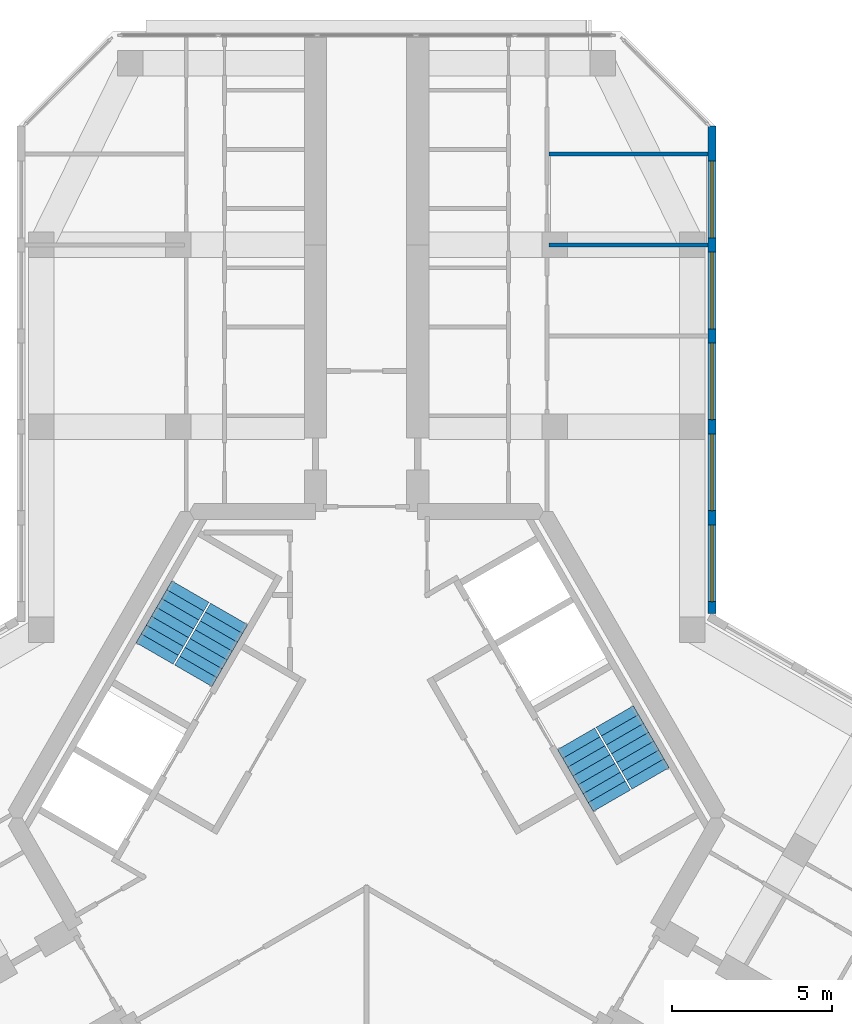
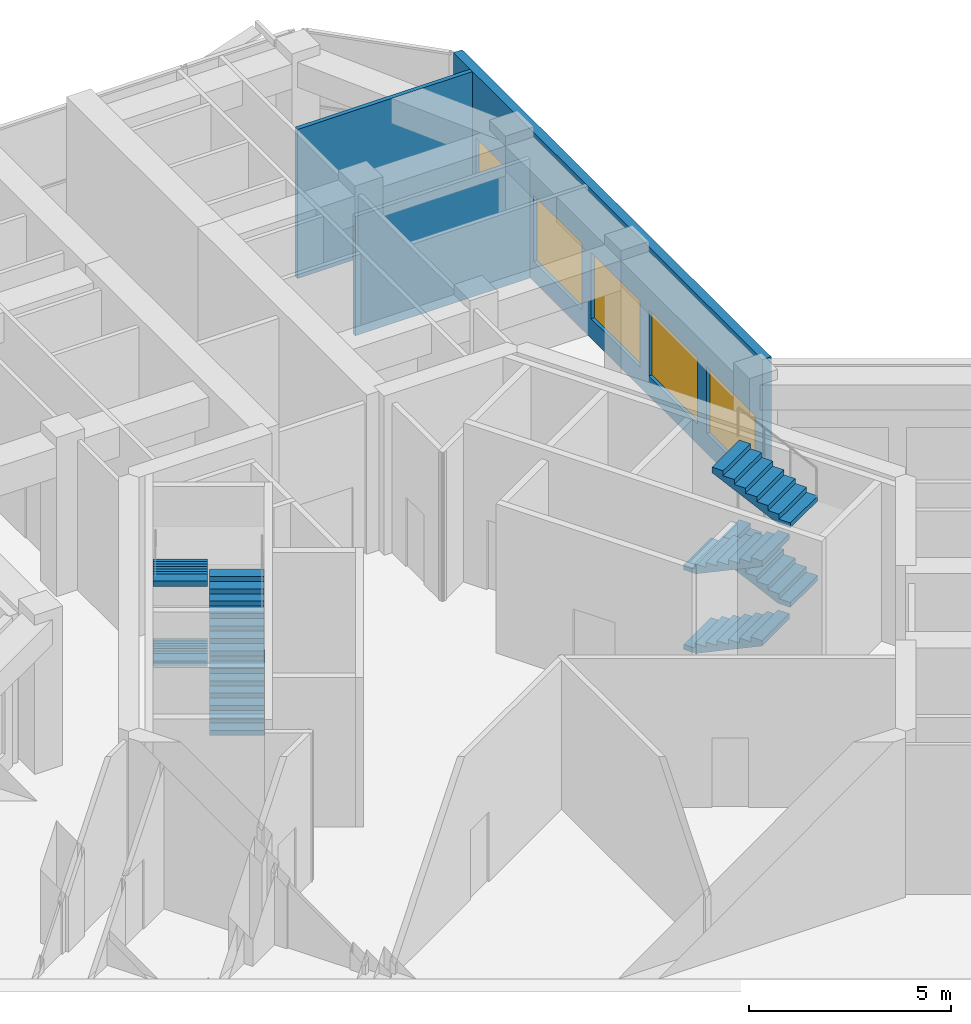
# One storey, part 13 of 14: 8 stair flights, 5 windows, 3 walls, 5 openings, 2 elements without a shape of their own.
"""IFC4 building model written with IfcOpenShell, lengths in metres."""

from ifc_helpers import new_model, si_unit, direction, frame, frame_2d, origin, place, context, subcontext, project, spatial, polyline, rectangle, outline, extrude, material, layer, layer_set, type_object, element, fill, aggregate, save


model = new_model("IFC4")

# Units and contexts
model_context = context("Model", 3, precision=1e-05, world=origin(), true_north=direction((0.0, 1.0)))
body_context = subcontext(model_context, "Body", "Model", "MODEL_VIEW")
ifc_project = project(units=[si_unit("LENGTHUNIT", "METRE"), si_unit("AREAUNIT", "SQUARE_METRE"), si_unit("VOLUMEUNIT", "CUBIC_METRE"), si_unit("PLANEANGLEUNIT", "RADIAN"), si_unit("MASSUNIT", "GRAM", prefix="KILO")], contexts=[model_context])

# Site, building, storey
site_placement = place(None, origin())
site = spatial("IfcSite", under=ifc_project, at=site_placement, CompositionType="ELEMENT")
building_placement = place(site_placement, origin())
building = spatial("IfcBuilding", under=site, at=building_placement, Name="Kosmar Iwan School Tower", CompositionType="ELEMENT")
storey_placement = place(building_placement, frame((0.0, 0.0, 296.199951171875)))
storey = spatial("IfcBuildingStorey", under=building, at=storey_placement, Name="L75", CompositionType="ELEMENT", Elevation=296.199951171875)

# Walls
ifc_material_1 = material(Name="Gypsum board on steel studs", Category="steel")
ifc_layer_1 = layer(ifc_material_1, 0.1201171875)
ifc_layer_set_1 = layer_set([ifc_layer_1], Name="Dwelling partition 120")
wall_type_1 = type_object("IfcWallType", Name="Dwelling partition 120", PredefinedType="PARTITIONING", material=ifc_layer_set_1)
wall_1_placement = place(storey_placement, frame((5.7099609375, 17.949951171875, 0.0), z_axis=(0.0, 0.0, 1.0), x_axis=(1.0, 0.0, 0.0)))
element("IfcWall", 1, at=wall_1_placement, inside=storey, type_object=wall_type_1, Name="Partition L75-AR1-X2", PredefinedType="PARTITIONING", context=body_context, shape_type="SweptSolid", body=[
    extrude(rectangle(XDim=4.989990234375, YDim=0.1201171875, at=frame_2d((2.4951171875, 0.0))), origin(), (0.0, 0.0, 1.0), 3.60009765625),
])
wall_2_placement = place(storey_placement, frame((5.7099609375, 20.800048828125, 0.0), z_axis=(0.0, 0.0, 1.0), x_axis=(1.0, 0.0, 0.0)))
element("IfcWall", 2, at=wall_2_placement, inside=storey, type_object=wall_type_1, Name="Partition L75-AR1-X3", PredefinedType="PARTITIONING", context=body_context, shape_type="SweptSolid", body=[
    extrude(rectangle(XDim=4.989990234375, YDim=0.1201171875, at=frame_2d((2.4951171875, 0.0))), origin(), (0.0, 0.0, 1.0), 4.5),
])

# Wall, openings, windows
ifc_material_2 = material(Name="Black aluminium rainscreen on insulated framing", Category="aluminium")
ifc_layer_2 = layer(ifc_material_2, 0.25)
ifc_layer_set_2 = layer_set([ifc_layer_2], Name="External wall rainscreen 250")
wall_type_2 = type_object("IfcWallType", Name="External wall rainscreen 250", PredefinedType="SOLIDWALL", material=ifc_layer_set_2)
wall_3_placement = place(storey_placement, frame((10.824951171875, 6.408935546875, 0.0), z_axis=(0.0, 0.0, 1.0), x_axis=(0.0, 1.0, 0.0)))
wall_3 = element("IfcWall", 3, at=wall_3_placement, inside=storey, type_object=wall_type_2, Name="External wall AR L75", PredefinedType="SOLIDWALL", context=body_context, shape_type="SweptSolid", body=[
    extrude(rectangle(XDim=15.2763671875, YDim=0.25, at=frame_2d((7.63818359375, 0.0))), origin(), (0.0, 0.0, 1.0), 4.5),
])
opening_1_placement = place(wall_3_placement, frame((0.365966796875, 0.0, 0.60009765625)))
opening_1 = element("IfcOpeningElement", 4, at=opening_1_placement, cuts=wall_3, Name="Opening W6", PredefinedType="OPENING", context=body_context, shape_type="SweptSolid", body=[
    extrude(rectangle(XDim=2.39990234375, YDim=2.0, at=frame_2d((1.199951171875, 1.0))), frame((0.0, 0.136962890625, 0.0), z_axis=(0.0, -1.0, 0.0), x_axis=(1.0, 0.0, 0.0)), (0.0, 0.0, 1.0), 0.27392578125),
])
opening_2_placement = place(wall_3_placement, frame((3.216064453125, 0.0, 0.60009765625)))
opening_2 = element("IfcOpeningElement", 5, at=opening_2_placement, cuts=wall_3, Name="Opening W6", PredefinedType="OPENING", context=body_context, shape_type="SweptSolid", body=[
    extrude(rectangle(XDim=2.39990234375, YDim=2.0, at=frame_2d((1.199951171875, 1.0))), frame((0.0, 0.136962890625, 0.0), z_axis=(0.0, -1.0, 0.0), x_axis=(1.0, 0.0, 0.0)), (0.0, 0.0, 1.0), 0.27392578125),
])
opening_3_placement = place(wall_3_placement, frame((6.06591796875, 0.0, 0.60009765625)))
opening_3 = element("IfcOpeningElement", 6, at=opening_3_placement, cuts=wall_3, Name="Opening W6", PredefinedType="OPENING", context=body_context, shape_type="SweptSolid", body=[
    extrude(rectangle(XDim=2.39990234375, YDim=2.0, at=frame_2d((1.199951171875, 1.0))), frame((0.0, 0.136962890625, 0.0), z_axis=(0.0, -1.0, 0.0), x_axis=(1.0, 0.0, 0.0)), (0.0, 0.0, 1.0), 0.27392578125),
])
opening_4_placement = place(wall_3_placement, frame((8.916015625, 0.0, 0.60009765625)))
opening_4 = element("IfcOpeningElement", 7, at=opening_4_placement, cuts=wall_3, Name="Opening W6", PredefinedType="OPENING", context=body_context, shape_type="SweptSolid", body=[
    extrude(rectangle(XDim=2.39990234375, YDim=2.0, at=frame_2d((1.199951171875, 1.0))), frame((0.0, 0.136962890625, 0.0), z_axis=(0.0, -1.0, 0.0), x_axis=(1.0, 0.0, 0.0)), (0.0, 0.0, 1.0), 0.27392578125),
])
opening_5_placement = place(wall_3_placement, frame((11.76611328125, 0.0, 0.60009765625)))
opening_5 = element("IfcOpeningElement", 8, at=opening_5_placement, cuts=wall_3, Name="Opening W6", PredefinedType="OPENING", context=body_context, shape_type="SweptSolid", body=[
    extrude(rectangle(XDim=2.39990234375, YDim=2.0, at=frame_2d((1.199951171875, 1.0))), frame((0.0, 0.136962890625, 0.0), z_axis=(0.0, -1.0, 0.0), x_axis=(1.0, 0.0, 0.0)), (0.0, 0.0, 1.0), 0.27392578125),
])
ifc_material_3 = material(Name="Black aluminium frame with dark triple glazing", Category="aluminium")
window_type = type_object("IfcWindowType", Name="Window 2400x2000", PartitioningType="SINGLE_PANEL", PredefinedType="WINDOW", material=ifc_material_3)
window_1_placement = place(opening_1_placement, origin())
window_1 = element("IfcWindow", 9, at=window_1_placement, inside=storey, type_object=window_type, Name="Window AR L75 -1", OverallHeight=2.0, OverallWidth=2.39990234375, PartitioningType="SINGLE_PANEL", PredefinedType="WINDOW", context=body_context, shape_type="SweptSolid", body=[
    extrude(rectangle(XDim=2.39990234375, YDim=2.0, at=frame_2d((1.199951171875, 1.0))), frame((0.0, 0.030029296875, 0.0), z_axis=(0.0, -1.0, 0.0), x_axis=(1.0, 0.0, 0.0)), (0.0, 0.0, 1.0), 0.06005859375),
])
fill(opening_1, window_1)
window_2_placement = place(opening_2_placement, origin())
window_2 = element("IfcWindow", 10, at=window_2_placement, inside=storey, type_object=window_type, Name="Window AR L75 0", OverallHeight=2.0, OverallWidth=2.39990234375, PartitioningType="SINGLE_PANEL", PredefinedType="WINDOW", context=body_context, shape_type="SweptSolid", body=[
    extrude(rectangle(XDim=2.39990234375, YDim=2.0, at=frame_2d((1.199951171875, 1.0))), frame((0.0, 0.030029296875, 0.0), z_axis=(0.0, -1.0, 0.0), x_axis=(1.0, 0.0, 0.0)), (0.0, 0.0, 1.0), 0.06005859375),
])
fill(opening_2, window_2)
window_3_placement = place(opening_3_placement, origin())
window_3 = element("IfcWindow", 11, at=window_3_placement, inside=storey, type_object=window_type, Name="Window AR L75 1", OverallHeight=2.0, OverallWidth=2.39990234375, PartitioningType="SINGLE_PANEL", PredefinedType="WINDOW", context=body_context, shape_type="SweptSolid", body=[
    extrude(rectangle(XDim=2.39990234375, YDim=2.0, at=frame_2d((1.199951171875, 1.0))), frame((0.0, 0.030029296875, 0.0), z_axis=(0.0, -1.0, 0.0), x_axis=(1.0, 0.0, 0.0)), (0.0, 0.0, 1.0), 0.06005859375),
])
fill(opening_3, window_3)
window_4_placement = place(opening_4_placement, origin())
window_4 = element("IfcWindow", 12, at=window_4_placement, inside=storey, type_object=window_type, Name="Window AR L75 2", OverallHeight=2.0, OverallWidth=2.39990234375, PartitioningType="SINGLE_PANEL", PredefinedType="WINDOW", context=body_context, shape_type="SweptSolid", body=[
    extrude(rectangle(XDim=2.39990234375, YDim=2.0, at=frame_2d((1.199951171875, 1.0))), frame((0.0, 0.030029296875, 0.0), z_axis=(0.0, -1.0, 0.0), x_axis=(1.0, 0.0, 0.0)), (0.0, 0.0, 1.0), 0.06005859375),
])
fill(opening_4, window_4)
window_5_placement = place(opening_5_placement, origin())
window_5 = element("IfcWindow", 13, at=window_5_placement, inside=storey, type_object=window_type, Name="Window AR L75 3", OverallHeight=2.0, OverallWidth=2.39990234375, PartitioningType="SINGLE_PANEL", PredefinedType="WINDOW", context=body_context, shape_type="SweptSolid", body=[
    extrude(rectangle(XDim=2.39990234375, YDim=2.0, at=frame_2d((1.199951171875, 1.0))), frame((0.0, 0.030029296875, 0.0), z_axis=(0.0, -1.0, 0.0), x_axis=(1.0, 0.0, 0.0)), (0.0, 0.0, 1.0), 0.06005859375),
])
fill(opening_5, window_5)

# Stair, stair flights
ifc_material_4 = material(Name="Concrete C35/45", Category="concrete")
stair_type = type_object("IfcStairType", Name="Core stair 2750", PredefinedType="HALF_TURN_STAIR", material=ifc_material_4)
stair_1_placement = place(storey_placement, origin())
stair_1 = element("IfcStair", 14, at=stair_1_placement, inside=storey, type_object=stair_type, Name="Stair ST2 L75", PredefinedType="HALF_TURN_STAIR")
ifc_material_5 = material(Name="Concrete C35/45", Category="concrete")
stair_flight_type = type_object("IfcStairFlightType", Name="Stair flight 1350", PredefinedType="STRAIGHT", material=ifc_material_5)
stair_flight_1_placement = place(storey_placement, frame((-5.42724609375, 4.44970703125, 0.0), z_axis=(0.0, 0.0, 1.0), x_axis=(0.5, 0.866025403784, 0.0)))
stair_flight_1 = element("IfcStairFlight", 15, at=stair_flight_1_placement, type_object=stair_flight_type, Name="ST2 flight 1", NumberOfRisers=8, NumberOfTreads=7, PredefinedType="STRAIGHT", RiserHeight=0.15, TreadLength=0.32, context=body_context, shape_type="SweptSolid", body=[
    extrude(outline(polyline([(0.0, 0.0), (0.0, 0.14990234375), (0.320068359375, 0.14990234375), (0.320068359375, 0.300048828125), (0.639892578125, 0.300048828125), (0.639892578125, 0.449951171875), (0.9599609375, 0.449951171875), (0.9599609375, 0.60009765625), (1.280029296875, 0.60009765625), (1.280029296875, 0.75), (1.60009765625, 0.75), (1.60009765625, 0.89990234375), (1.919921875, 0.89990234375), (1.919921875, 1.050048828125), (2.239990234375, 1.050048828125), (2.239990234375, 1.199951171875), (2.239990234375, 0.884521484375), (0.353271484375, 0.0), (0.0, 0.0)])), frame((0.0, 0.675048828125, 0.0), z_axis=(0.0, -1.0, 0.0), x_axis=(1.0, 0.0, 0.0)), (0.0, 0.0, 1.0), 1.35009765625),
])
stair_flight_2_placement = place(storey_placement, frame((-5.519775390625, 7.089599609375, 1.199951171875), z_axis=(0.0, 0.0, 1.0), x_axis=(-0.5, -0.866025403784, 0.0)))
stair_flight_2 = element("IfcStairFlight", 16, at=stair_flight_2_placement, type_object=stair_flight_type, Name="ST2 flight 2", NumberOfRisers=8, NumberOfTreads=7, PredefinedType="STRAIGHT", RiserHeight=0.15, TreadLength=0.32, context=body_context, shape_type="SweptSolid", body=[
    extrude(outline(polyline([(0.0, 0.0), (0.0, 0.14990234375), (0.320068359375, 0.14990234375), (0.320068359375, 0.300048828125), (0.639892578125, 0.300048828125), (0.639892578125, 0.449951171875), (0.9599609375, 0.449951171875), (0.9599609375, 0.60009765625), (1.280029296875, 0.60009765625), (1.280029296875, 0.75), (1.60009765625, 0.75), (1.60009765625, 0.89990234375), (1.919921875, 0.89990234375), (1.919921875, 1.050048828125), (2.239990234375, 1.050048828125), (2.239990234375, 1.199951171875), (2.239990234375, 0.884521484375), (0.353271484375, 0.0), (0.0, 0.0)])), frame((0.0, 0.675048828125, 0.0), z_axis=(0.0, -1.0, 0.0), x_axis=(1.0, 0.0, 0.0)), (0.0, 0.0, 1.0), 1.35009765625),
])
stair_flight_3_placement = place(storey_placement, frame((-5.42724609375, 4.44970703125, 2.400146484375), z_axis=(0.0, 0.0, 1.0), x_axis=(0.5, 0.866025403784, 0.0)))
stair_flight_3 = element("IfcStairFlight", 17, at=stair_flight_3_placement, type_object=stair_flight_type, Name="ST2 flight 3", NumberOfRisers=8, NumberOfTreads=7, PredefinedType="STRAIGHT", RiserHeight=0.15, TreadLength=0.32, context=body_context, shape_type="SweptSolid", body=[
    extrude(outline(polyline([(0.0, 0.0), (0.0, 0.14990234375), (0.320068359375, 0.14990234375), (0.320068359375, 0.300048828125), (0.639892578125, 0.300048828125), (0.639892578125, 0.449951171875), (0.9599609375, 0.449951171875), (0.9599609375, 0.60009765625), (1.280029296875, 0.60009765625), (1.280029296875, 0.75), (1.60009765625, 0.75), (1.60009765625, 0.89990234375), (1.919921875, 0.89990234375), (1.919921875, 1.050048828125), (2.239990234375, 1.050048828125), (2.239990234375, 1.199951171875), (2.239990234375, 0.884521484375), (0.353271484375, 0.0), (0.0, 0.0)])), frame((0.0, 0.675048828125, 0.0), z_axis=(0.0, -1.0, 0.0), x_axis=(1.0, 0.0, 0.0)), (0.0, 0.0, 1.0), 1.35009765625),
])
stair_flight_4_placement = place(storey_placement, frame((-5.519775390625, 7.089599609375, 3.60009765625), z_axis=(0.0, 0.0, 1.0), x_axis=(-0.5, -0.866025403784, 0.0)))
stair_flight_4 = element("IfcStairFlight", 18, at=stair_flight_4_placement, type_object=stair_flight_type, Name="ST2 flight 4", NumberOfRisers=8, NumberOfTreads=7, PredefinedType="STRAIGHT", RiserHeight=0.15, TreadLength=0.32, context=body_context, shape_type="SweptSolid", body=[
    extrude(outline(polyline([(0.0, 0.0), (0.0, 0.14990234375), (0.320068359375, 0.14990234375), (0.320068359375, 0.300048828125), (0.639892578125, 0.300048828125), (0.639892578125, 0.449951171875), (0.9599609375, 0.449951171875), (0.9599609375, 0.60009765625), (1.280029296875, 0.60009765625), (1.280029296875, 0.75), (1.60009765625, 0.75), (1.60009765625, 0.89990234375), (1.919921875, 0.89990234375), (1.919921875, 1.050048828125), (2.239990234375, 1.050048828125), (2.239990234375, 1.199951171875), (2.239990234375, 0.884521484375), (0.353271484375, 0.0), (0.0, 0.0)])), frame((0.0, 0.675048828125, 0.0), z_axis=(0.0, -1.0, 0.0), x_axis=(1.0, 0.0, 0.0)), (0.0, 0.0, 1.0), 1.35009765625),
])
aggregate(stair_1, [stair_flight_1, stair_flight_2, stair_flight_3, stair_flight_4])

stair_2_placement = place(storey_placement, origin())
stair_2 = element("IfcStair", 19, at=stair_2_placement, inside=storey, type_object=stair_type, Name="Stair ST1 L75", PredefinedType="HALF_TURN_STAIR")
stair_flight_5_placement = place(storey_placement, frame((6.567138671875, 2.475341796875, 0.0), z_axis=(0.0, 0.0, 1.0), x_axis=(0.5, -0.866025403784, 0.0)))
stair_flight_5 = element("IfcStairFlight", 20, at=stair_flight_5_placement, type_object=stair_flight_type, Name="ST1 flight 1", NumberOfRisers=8, NumberOfTreads=7, PredefinedType="STRAIGHT", RiserHeight=0.15, TreadLength=0.32, context=body_context, shape_type="SweptSolid", body=[
    extrude(outline(polyline([(0.0, 0.0), (0.0, 0.14990234375), (0.320068359375, 0.14990234375), (0.320068359375, 0.300048828125), (0.639892578125, 0.300048828125), (0.639892578125, 0.449951171875), (0.9599609375, 0.449951171875), (0.9599609375, 0.60009765625), (1.280029296875, 0.60009765625), (1.280029296875, 0.75), (1.60009765625, 0.75), (1.60009765625, 0.89990234375), (1.919921875, 0.89990234375), (1.919921875, 1.050048828125), (2.239990234375, 1.050048828125), (2.239990234375, 1.199951171875), (2.239990234375, 0.884521484375), (0.353271484375, 0.0), (0.0, 0.0)])), frame((0.0, 0.675048828125, 0.0), z_axis=(0.0, -1.0, 0.0), x_axis=(1.0, 0.0, 0.0)), (0.0, 0.0, 1.0), 1.35009765625),
])
stair_flight_6_placement = place(storey_placement, frame((8.899658203125, 1.2353515625, 1.199951171875), z_axis=(0.0, 0.0, 1.0), x_axis=(-0.5, 0.866025403784, 0.0)))
stair_flight_6 = element("IfcStairFlight", 21, at=stair_flight_6_placement, type_object=stair_flight_type, Name="ST1 flight 2", NumberOfRisers=8, NumberOfTreads=7, PredefinedType="STRAIGHT", RiserHeight=0.15, TreadLength=0.32, context=body_context, shape_type="SweptSolid", body=[
    extrude(outline(polyline([(0.0, 0.0), (0.0, 0.14990234375), (0.320068359375, 0.14990234375), (0.320068359375, 0.300048828125), (0.639892578125, 0.300048828125), (0.639892578125, 0.449951171875), (0.9599609375, 0.449951171875), (0.9599609375, 0.60009765625), (1.280029296875, 0.60009765625), (1.280029296875, 0.75), (1.60009765625, 0.75), (1.60009765625, 0.89990234375), (1.919921875, 0.89990234375), (1.919921875, 1.050048828125), (2.239990234375, 1.050048828125), (2.239990234375, 1.199951171875), (2.239990234375, 0.884521484375), (0.353271484375, 0.0), (0.0, 0.0)])), frame((0.0, 0.675048828125, 0.0), z_axis=(0.0, -1.0, 0.0), x_axis=(1.0, 0.0, 0.0)), (0.0, 0.0, 1.0), 1.35009765625),
])
stair_flight_7_placement = place(storey_placement, frame((6.567138671875, 2.475341796875, 2.400146484375), z_axis=(0.0, 0.0, 1.0), x_axis=(0.5, -0.866025403784, 0.0)))
stair_flight_7 = element("IfcStairFlight", 22, at=stair_flight_7_placement, type_object=stair_flight_type, Name="ST1 flight 3", NumberOfRisers=8, NumberOfTreads=7, PredefinedType="STRAIGHT", RiserHeight=0.15, TreadLength=0.32, context=body_context, shape_type="SweptSolid", body=[
    extrude(outline(polyline([(0.0, 0.0), (0.0, 0.14990234375), (0.320068359375, 0.14990234375), (0.320068359375, 0.300048828125), (0.639892578125, 0.300048828125), (0.639892578125, 0.449951171875), (0.9599609375, 0.449951171875), (0.9599609375, 0.60009765625), (1.280029296875, 0.60009765625), (1.280029296875, 0.75), (1.60009765625, 0.75), (1.60009765625, 0.89990234375), (1.919921875, 0.89990234375), (1.919921875, 1.050048828125), (2.239990234375, 1.050048828125), (2.239990234375, 1.199951171875), (2.239990234375, 0.884521484375), (0.353271484375, 0.0), (0.0, 0.0)])), frame((0.0, 0.675048828125, 0.0), z_axis=(0.0, -1.0, 0.0), x_axis=(1.0, 0.0, 0.0)), (0.0, 0.0, 1.0), 1.35009765625),
])
stair_flight_8_placement = place(storey_placement, frame((8.899658203125, 1.2353515625, 3.60009765625), z_axis=(0.0, 0.0, 1.0), x_axis=(-0.5, 0.866025403784, 0.0)))
stair_flight_8 = element("IfcStairFlight", 23, at=stair_flight_8_placement, type_object=stair_flight_type, Name="ST1 flight 4", NumberOfRisers=8, NumberOfTreads=7, PredefinedType="STRAIGHT", RiserHeight=0.15, TreadLength=0.32, context=body_context, shape_type="SweptSolid", body=[
    extrude(outline(polyline([(0.0, 0.0), (0.0, 0.14990234375), (0.320068359375, 0.14990234375), (0.320068359375, 0.300048828125), (0.639892578125, 0.300048828125), (0.639892578125, 0.449951171875), (0.9599609375, 0.449951171875), (0.9599609375, 0.60009765625), (1.280029296875, 0.60009765625), (1.280029296875, 0.75), (1.60009765625, 0.75), (1.60009765625, 0.89990234375), (1.919921875, 0.89990234375), (1.919921875, 1.050048828125), (2.239990234375, 1.050048828125), (2.239990234375, 1.199951171875), (2.239990234375, 0.884521484375), (0.353271484375, 0.0), (0.0, 0.0)])), frame((0.0, 0.675048828125, 0.0), z_axis=(0.0, -1.0, 0.0), x_axis=(1.0, 0.0, 0.0)), (0.0, 0.0, 1.0), 1.35009765625),
])
aggregate(stair_2, [stair_flight_5, stair_flight_6, stair_flight_7, stair_flight_8])

save(model, "model.ifc")
